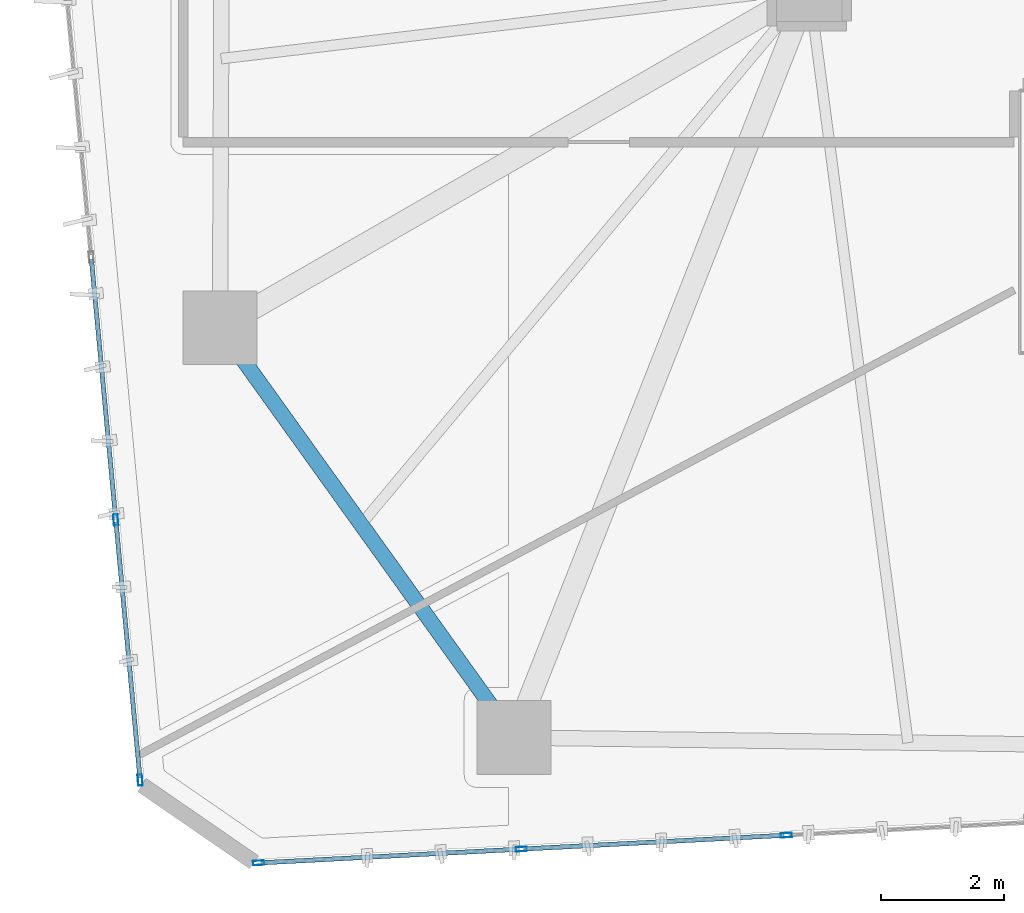
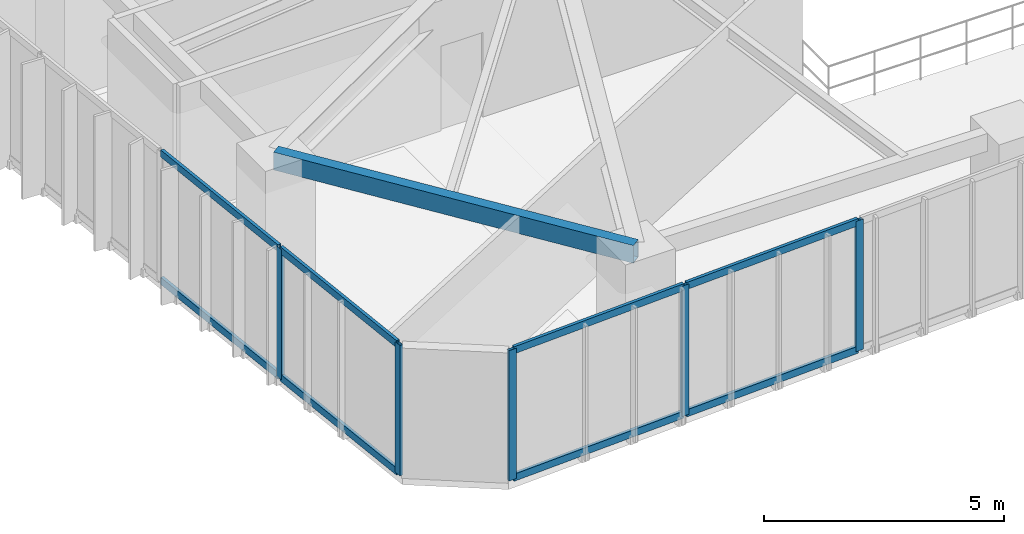
# One storey, part 2 of 23: 13 members, 1 beam, 2 elements without a shape of their own.
"""IFC4 building model written with IfcOpenShell, lengths in metres."""

from ifc_helpers import new_model, si_unit, direction, frame, origin, origin_2d, place, context, subcontext, project, spatial, hollow_rectangle, extrude, source, transform, mapped, material, layer, layer_set, material_profile, profile_set, type_object, type_shapes, element, aggregate, save


model = new_model("IFC4")

# Units and contexts
model_context = context("Model", 3, precision=1e-05, world=origin(), true_north=direction((0.0, 1.0)))
body_context = subcontext(model_context, "Body", "Model", "MODEL_VIEW")
ifc_project = project(units=[si_unit("LENGTHUNIT", "METRE"), si_unit("AREAUNIT", "SQUARE_METRE"), si_unit("VOLUMEUNIT", "CUBIC_METRE"), si_unit("PLANEANGLEUNIT", "RADIAN"), si_unit("MASSUNIT", "GRAM", prefix="KILO")], contexts=[model_context])

# Site, building, storey
site_placement = place(None, origin())
site = spatial("IfcSite", under=ifc_project, at=site_placement, CompositionType="ELEMENT")
building_placement = place(site_placement, origin())
building = spatial("IfcBuilding", under=site, at=building_placement, Name="Talar Marvaseh", CompositionType="ELEMENT")
storey_placement = place(building_placement, frame((0.0, 0.0, 100.199951171875)))
storey = spatial("IfcBuildingStorey", under=building, at=storey_placement, Name="L25", CompositionType="ELEMENT", Elevation=100.199951171875)

# Beam
ifc_material_1 = material(Name="Steel S355", Category="steel")
ifc_material_profile_1 = material_profile(ifc_material_1, hollow_rectangle(XDim=0.25, YDim=0.449951171875, WallThickness=0.01611328125, at=origin_2d()), Name="RHS450x250x16")
ifc_profile_set_1 = profile_set([ifc_material_profile_1], Name="Steel S355")
beam_type = type_object("IfcBeamType", Name="Zone 2 Perimeter Spandrel Beam RHS450x250x16", PredefinedType="SPANDREL", material=ifc_profile_set_1)
beam_placement = place(storey_placement, frame((13.89111328125, 13.299072265625, 3.0849609375), z_axis=(-0.582852871994, 0.812577706812, 0.0), x_axis=(-0.812577706812, -0.582852871994, 0.0)))
element("IfcBeam", 1, at=beam_placement, inside=storey, type_object=beam_type, Name="L25 Zone 2 Perimeter Spandrel Beam RHS450x250x16", PredefinedType="SPANDREL", context=body_context, shape_type="SweptSolid", body=[
    extrude(hollow_rectangle(XDim=0.25, YDim=0.449951171875, WallThickness=0.01611328125, at=origin_2d()), origin(), (0.0, 0.0, 1.0), 8.21826171875),
])

# Curtain wall, members
ifc_material_2 = material(Name="Architectural Aluminium", Category="aluminium")
ifc_layer = layer(ifc_material_2, 0.199951171875)
ifc_layer_set = layer_set([ifc_layer], Name="Architectural Aluminium")
curtain_wall_type = type_object("IfcCurtainWallType", Name="Unitised Acoustic Library Curtain Wall Z2", PredefinedType="NOTDEFINED", material=ifc_layer_set)
curtain_wall_1_placement = place(storey_placement, origin())
curtain_wall_1 = element("IfcCurtainWall", 2, at=curtain_wall_1_placement, inside=storey, type_object=curtain_wall_type, Name="L25 Unitised Acoustic Library Curtain Wall Z2", PredefinedType="NOTDEFINED")
ifc_material_profile_2 = material_profile(ifc_material_2, hollow_rectangle(XDim=0.074951171875, YDim=0.179931640625, WallThickness=0.0048828125, at=origin_2d()), Name="RHS180x75x5")
ifc_profile_set_2 = profile_set([ifc_material_profile_2], Name="Architectural Aluminium")
member_type_1 = type_object("IfcMemberType", Name="Unitised Curtain Wall Standard Mullion RHS180x75x5", PredefinedType="MULLION", material=ifc_profile_set_2)
shared_shape_1 = source(origin(), body_context, "Body", "SweptSolid", [
    extrude(hollow_rectangle(XDim=0.074951171875, YDim=0.179931640625, WallThickness=0.0048828125, at=origin_2d()), origin(), (0.0, 0.0, 1.0), 3.31005859375),
])
type_shapes(member_type_1, [shared_shape_1])
member_1_placement = place(storey_placement, frame((7.80126953125, 12.6044921875, 0.0), z_axis=(0.0, 0.0, 1.0), x_axis=(-0.995649888657, -0.093173489885, 0.0)))
member_1 = element("IfcMember", 3, at=member_1_placement, type_object=member_type_1, Name="CW-Z2 mullion 1", PredefinedType="MULLION", context=body_context, shape_type="MappedRepresentation", body=[
    mapped(shared_shape_1, transform((0.0, 0.0, 0.0), x_axis=(1.0, 0.0, 0.0), y_axis=(0.0, 1.0, 0.0), z_axis=(0.0, 0.0, 1.0), scale=1.0)),
])
member_2_placement = place(storey_placement, frame((7.404296875, 16.846435546875, 0.0), z_axis=(0.0, 0.0, 1.0), x_axis=(-0.995649888657, -0.093173489885, 0.0)))
member_2 = element("IfcMember", 4, at=member_2_placement, type_object=member_type_1, Name="CW-Z2 mullion 2", PredefinedType="MULLION", context=body_context, shape_type="MappedRepresentation", body=[
    mapped(shared_shape_1, transform((0.0, 0.0, 0.0), x_axis=(1.0, 0.0, 0.0), y_axis=(0.0, 1.0, 0.0), z_axis=(0.0, 0.0, 1.0), scale=1.0)),
])

curtain_wall_2_placement = place(storey_placement, origin())
curtain_wall_2 = element("IfcCurtainWall", 5, at=curtain_wall_2_placement, inside=storey, type_object=curtain_wall_type, Name="L25 Unitised Acoustic Library Curtain Wall Z2", PredefinedType="NOTDEFINED")
member_3_placement = place(storey_placement, frame((18.327880859375, 11.708984375, 0.0), z_axis=(0.0, 0.0, 1.0), x_axis=(0.052489394294, -0.998621481587, 0.0)))
member_3 = element("IfcMember", 6, at=member_3_placement, type_object=member_type_1, Name="CW-Z2 mullion 4", PredefinedType="MULLION", context=body_context, shape_type="MappedRepresentation", body=[
    mapped(shared_shape_1, transform((0.0, 0.0, 0.0), x_axis=(1.0, 0.0, 0.0), y_axis=(0.0, 1.0, 0.0), z_axis=(0.0, 0.0, 1.0), scale=1.0)),
])
member_4_placement = place(storey_placement, frame((14.01025390625, 11.48193359375, 0.0), z_axis=(0.0, 0.0, 1.0), x_axis=(0.052489394294, -0.998621481587, 0.0)))
member_4 = element("IfcMember", 7, at=member_4_placement, type_object=member_type_1, Name="CW-Z2 mullion 5", PredefinedType="MULLION", context=body_context, shape_type="MappedRepresentation", body=[
    mapped(shared_shape_1, transform((0.0, 0.0, 0.0), x_axis=(1.0, 0.0, 0.0), y_axis=(0.0, 1.0, 0.0), z_axis=(0.0, 0.0, 1.0), scale=1.0)),
])
member_5_placement = place(storey_placement, frame((9.72998046875, 11.257080078125, 0.0), z_axis=(0.0, 0.0, 1.0), x_axis=(0.052489394294, -0.998621481587, 0.0)))
member_5 = element("IfcMember", 8, at=member_5_placement, type_object=member_type_1, Name="CW-Z2 mullion 6", PredefinedType="MULLION", context=body_context, shape_type="MappedRepresentation", body=[
    mapped(shared_shape_1, transform((0.0, 0.0, 0.0), x_axis=(1.0, 0.0, 0.0), y_axis=(0.0, 1.0, 0.0), z_axis=(0.0, 0.0, 1.0), scale=1.0)),
])

# Member
ifc_material_profile_3 = material_profile(ifc_material_2, hollow_rectangle(XDim=0.074951171875, YDim=0.179931640625, WallThickness=0.0048828125, at=origin_2d()), Name="RHS180x75x5")
ifc_profile_set_3 = profile_set([ifc_material_profile_3], Name="Architectural Aluminium")
member_type_2 = type_object("IfcMemberType", Name="Unitised Curtain Wall Transom RHS180x75x5", PredefinedType="USERDEFINED", material=ifc_profile_set_3)
shared_shape_2 = source(origin(), body_context, "Body", "SweptSolid", [
    extrude(hollow_rectangle(XDim=0.074951171875, YDim=0.179931640625, WallThickness=0.0048828125, at=origin_2d()), origin(), (0.0, 0.0, 1.0), 4.222900390625),
])
member_6_placement = place(storey_placement, frame((7.400634765625, 16.8837890625, 0.03759765625), z_axis=(-0.093136542771, 0.995653345498, 0.0), x_axis=(-0.995653345498, -0.093136542771, 0.0)))
member_6 = element("IfcMember", 9, at=member_6_placement, type_object=member_type_2, Name="CW-Z2 transom 2.1", ObjectType="TRANSOM", PredefinedType="USERDEFINED", context=body_context, shape_type="MappedRepresentation", body=[
    mapped(shared_shape_2, transform((0.0, 0.0, 0.0), x_axis=(1.0, 0.0, 0.0), y_axis=(0.0, 1.0, 0.0), z_axis=(0.0, 0.0, 1.0), scale=1.0)),
])

member_7_placement = place(storey_placement, frame((7.400634765625, 16.8837890625, 3.2724609375), z_axis=(-0.093136542771, 0.995653345498, 0.0), x_axis=(-0.995653345498, -0.093136542771, 0.0)))
member_7 = element("IfcMember", 10, at=member_7_placement, type_object=member_type_2, Name="CW-Z2 transom 2.2", ObjectType="TRANSOM", PredefinedType="USERDEFINED", context=body_context, shape_type="MappedRepresentation", body=[
    mapped(shared_shape_2, transform((0.0, 0.0, 0.0), x_axis=(1.0, 0.0, 0.0), y_axis=(0.0, 1.0, 0.0), z_axis=(0.0, 0.0, 1.0), scale=1.0)),
])

shared_shape_3 = source(origin(), body_context, "Body", "SweptSolid", [
    extrude(hollow_rectangle(XDim=0.074951171875, YDim=0.179931640625, WallThickness=0.0048828125, at=origin_2d()), origin(), (0.0, 0.0, 1.0), 4.185546875),
])
member_8_placement = place(storey_placement, frame((7.797607421875, 12.641845703125, 0.03759765625), z_axis=(-0.093154589985, 0.99565165714, 0.0), x_axis=(-0.99565165714, -0.093154589985, 0.0)))
member_8 = element("IfcMember", 11, at=member_8_placement, type_object=member_type_2, Name="CW-Z2 transom 1.1", ObjectType="TRANSOM", PredefinedType="USERDEFINED", context=body_context, shape_type="MappedRepresentation", body=[
    mapped(shared_shape_3, transform((0.0, 0.0, 0.0), x_axis=(1.0, 0.0, 0.0), y_axis=(0.0, 1.0, 0.0), z_axis=(0.0, 0.0, 1.0), scale=1.0)),
])

member_9_placement = place(storey_placement, frame((7.797607421875, 12.641845703125, 3.2724609375), z_axis=(-0.093154589985, 0.99565165714, 0.0), x_axis=(-0.99565165714, -0.093154589985, 0.0)))
member_9 = element("IfcMember", 12, at=member_9_placement, type_object=member_type_2, Name="CW-Z2 transom 1.2", ObjectType="TRANSOM", PredefinedType="USERDEFINED", context=body_context, shape_type="MappedRepresentation", body=[
    mapped(shared_shape_3, transform((0.0, 0.0, 0.0), x_axis=(1.0, 0.0, 0.0), y_axis=(0.0, 1.0, 0.0), z_axis=(0.0, 0.0, 1.0), scale=1.0)),
])

aggregate(curtain_wall_1, [member_1, member_2, member_8, member_9, member_6, member_7])

shared_shape_4 = source(origin(), body_context, "Body", "SweptSolid", [
    extrude(hollow_rectangle(XDim=0.074951171875, YDim=0.179931640625, WallThickness=0.0048828125, at=origin_2d()), origin(), (0.0, 0.0, 1.0), 4.24853515625),
])
member_10_placement = place(storey_placement, frame((18.290283203125, 11.70703125, 0.03759765625), z_axis=(-0.99861973358, -0.052522639918, 0.0), x_axis=(0.052522639918, -0.99861973358, 0.0)))
member_10 = element("IfcMember", 13, at=member_10_placement, type_object=member_type_2, Name="CW-Z2 transom 4.1", ObjectType="TRANSOM", PredefinedType="USERDEFINED", context=body_context, shape_type="MappedRepresentation", body=[
    mapped(shared_shape_4, transform((0.0, 0.0, 0.0), x_axis=(1.0, 0.0, 0.0), y_axis=(0.0, 1.0, 0.0), z_axis=(0.0, 0.0, 1.0), scale=1.0)),
])

member_11_placement = place(storey_placement, frame((18.290283203125, 11.70703125, 3.2724609375), z_axis=(-0.99861973358, -0.052522639918, 0.0), x_axis=(0.052522639918, -0.99861973358, 0.0)))
member_11 = element("IfcMember", 14, at=member_11_placement, type_object=member_type_2, Name="CW-Z2 transom 4.2", ObjectType="TRANSOM", PredefinedType="USERDEFINED", context=body_context, shape_type="MappedRepresentation", body=[
    mapped(shared_shape_4, transform((0.0, 0.0, 0.0), x_axis=(1.0, 0.0, 0.0), y_axis=(0.0, 1.0, 0.0), z_axis=(0.0, 0.0, 1.0), scale=1.0)),
])

shared_shape_5 = source(origin(), body_context, "Body", "SweptSolid", [
    extrude(hollow_rectangle(XDim=0.074951171875, YDim=0.179931640625, WallThickness=0.0048828125, at=origin_2d()), origin(), (0.0, 0.0, 1.0), 4.2109375),
])
type_shapes(member_type_2, [shared_shape_2, shared_shape_3, shared_shape_4, shared_shape_5])
member_12_placement = place(storey_placement, frame((13.97265625, 11.47998046875, 0.03759765625), z_axis=(-0.998622470123, -0.052470583805, 0.0), x_axis=(0.052470583805, -0.998622470123, 0.0)))
member_12 = element("IfcMember", 15, at=member_12_placement, type_object=member_type_2, Name="CW-Z2 transom 5.1", ObjectType="TRANSOM", PredefinedType="USERDEFINED", context=body_context, shape_type="MappedRepresentation", body=[
    mapped(shared_shape_5, transform((0.0, 0.0, 0.0), x_axis=(1.0, 0.0, 0.0), y_axis=(0.0, 1.0, 0.0), z_axis=(0.0, 0.0, 1.0), scale=1.0)),
])

member_13_placement = place(storey_placement, frame((13.97265625, 11.47998046875, 3.2724609375), z_axis=(-0.998622470123, -0.052470583805, 0.0), x_axis=(0.052470583805, -0.998622470123, 0.0)))
member_13 = element("IfcMember", 16, at=member_13_placement, type_object=member_type_2, Name="CW-Z2 transom 5.2", ObjectType="TRANSOM", PredefinedType="USERDEFINED", context=body_context, shape_type="MappedRepresentation", body=[
    mapped(shared_shape_5, transform((0.0, 0.0, 0.0), x_axis=(1.0, 0.0, 0.0), y_axis=(0.0, 1.0, 0.0), z_axis=(0.0, 0.0, 1.0), scale=1.0)),
])

aggregate(curtain_wall_2, [member_3, member_4, member_5, member_10, member_11, member_12, member_13])

save(model, "model.ifc")
